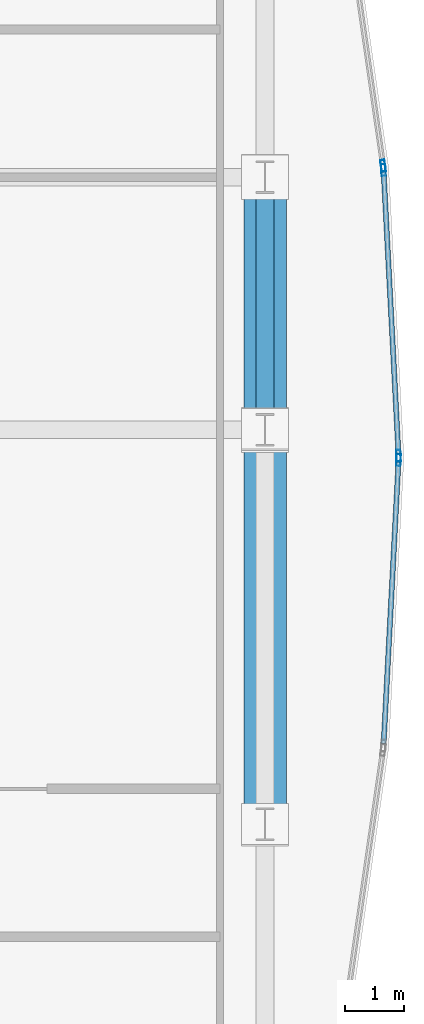
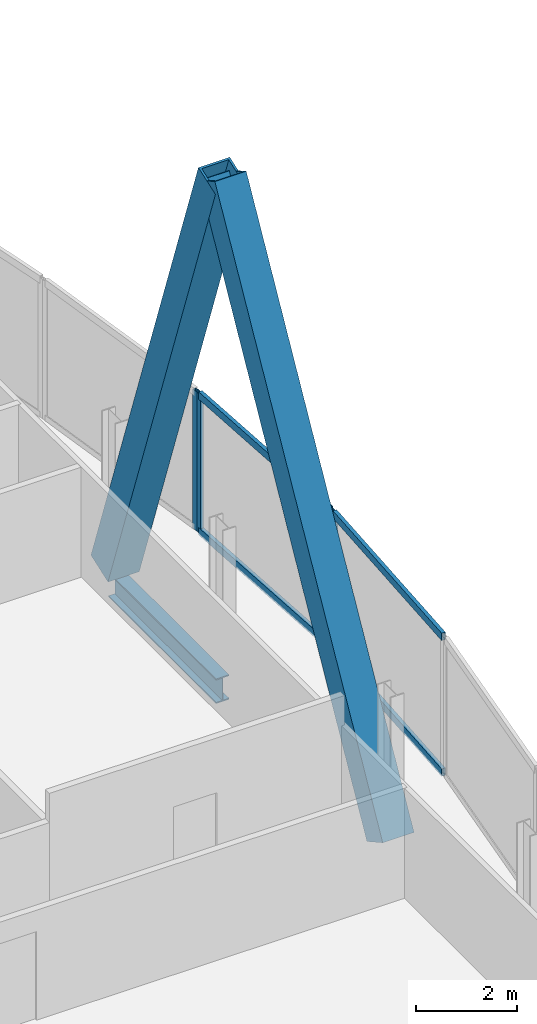
# One storey, part 23 of 31: 10 members, 1 beam, 3 elements without a shape of their own.
"""IFC4 building model written with IfcOpenShell, lengths in metres."""

from ifc_helpers import new_model, si_unit, direction, frame, origin, origin_2d, place, context, subcontext, project, spatial, hollow_rectangle, i_section, extrude, material, material_profile, profile_set, type_object, element, aggregate, save


model = new_model("IFC4")

# Units and contexts
model_context = context("Model", 3, precision=1e-05, world=origin(), true_north=direction((0.0, 1.0)))
body_context = subcontext(model_context, "Body", "Model", "MODEL_VIEW")
ifc_project = project(units=[si_unit("LENGTHUNIT", "METRE"), si_unit("AREAUNIT", "SQUARE_METRE"), si_unit("VOLUMEUNIT", "CUBIC_METRE"), si_unit("PLANEANGLEUNIT", "RADIAN"), si_unit("MASSUNIT", "GRAM", prefix="KILO")], contexts=[model_context])

# Site, building, storey
site_placement = place(None, origin())
site = spatial("IfcSite", under=ifc_project, at=site_placement, CompositionType="ELEMENT")
building_placement = place(site_placement, origin())
building = spatial("IfcBuilding", under=site, at=building_placement, Name="Khoronbel Lancet Exchange", CompositionType="ELEMENT")
storey_placement = place(building_placement, frame((0.0, 0.0, 168.60009765625)))
storey = spatial("IfcBuildingStorey", under=building, at=storey_placement, Name="L42", CompositionType="ELEMENT", Elevation=168.60009765625)

# Beam
ifc_material_1 = material(Name="Steel S355", Category="steel")
ifc_material_profile_1 = material_profile(ifc_material_1, i_section(OverallWidth=0.300048828125, OverallDepth=0.60009765625, WebThickness=0.015380859375, FlangeThickness=0.030029296875, at=origin_2d()), Name="HEB 600")
ifc_profile_set_1 = profile_set([ifc_material_profile_1], Name="Steel S355")
beam_type = type_object("IfcBeamType", Name="BM-BSP2", PredefinedType="SPANDREL", material=ifc_profile_set_1)
beam_placement = place(storey_placement, frame((67.6298828125, 31.425048828125, -0.460205078125), z_axis=(0.0, 1.0, 0.0), x_axis=(-1.0, 0.0, 0.0)))
element("IfcBeam", 1, at=beam_placement, inside=storey, type_object=beam_type, Name="Level L42 perimeter spandrel beam SP13", PredefinedType="SPANDREL", context=body_context, shape_type="SweptSolid", body=[
    extrude(i_section(OverallWidth=0.300048828125, OverallDepth=0.60009765625, WebThickness=0.015380859375, FlangeThickness=0.030029296875, at=origin_2d()), origin(), (0.0, 0.0, 1.0), 4.27490234375),
])

# Curtain wall, member
ifc_material_2 = material(Name="Low-E Solar Control Insulating Glass", Category="glass")
curtain_wall_type = type_object("IfcCurtainWallType", Name="CW-4", PredefinedType="NOTDEFINED", material=ifc_material_2)
curtain_wall_1_placement = place(storey_placement, origin())
curtain_wall_1 = element("IfcCurtainWall", 2, at=curtain_wall_1_placement, inside=storey, type_object=curtain_wall_type, Name="Unitised curtain wall CW-L42-E18", PredefinedType="NOTDEFINED")
ifc_material_3 = material(Name="Bronze-Anodised Aluminium 6063-T6", Category="aluminium")
ifc_material_profile_2 = material_profile(ifc_material_3, hollow_rectangle(XDim=0.074951171875, YDim=0.199951171875, WallThickness=0.0048828125, at=origin_2d()), Name="ALU MULLION 75x200")
ifc_profile_set_2 = profile_set([ifc_material_profile_2], Name="Bronze-Anodised Aluminium 6063-T6")
member_type_1 = type_object("IfcMemberType", Name="MEM-CWM2", PredefinedType="MULLION", material=ifc_profile_set_2)
member_1_placement = place(storey_placement, frame((69.626708984375, 35.89501953125, 0.0), z_axis=(0.0, 0.0, 1.0), x_axis=(0.989829804459, 0.142256663132, 0.0)))
member_1 = element("IfcMember", 3, at=member_1_placement, type_object=member_type_1, Name="CW4 mullion 2", PredefinedType="MULLION", context=body_context, shape_type="SweptSolid", body=[
    extrude(hollow_rectangle(XDim=0.074951171875, YDim=0.199951171875, WallThickness=0.0048828125, at=origin_2d()), origin(), (0.0, 0.0, 1.0), 3.3798828125),
])
aggregate(curtain_wall_1, [member_1])

# Curtain wall, members
curtain_wall_2_placement = place(storey_placement, origin())
curtain_wall_2 = element("IfcCurtainWall", 4, at=curtain_wall_2_placement, inside=storey, type_object=curtain_wall_type, Name="Unitised curtain wall CW-L42-E19", PredefinedType="NOTDEFINED")
member_2_placement = place(storey_placement, frame((69.634033203125, 35.820556640625, 0.0), z_axis=(0.0, 0.0, 1.0), x_axis=(0.998619009442, 0.052536406245, 0.0)))
member_2 = element("IfcMember", 5, at=member_2_placement, type_object=member_type_1, Name="CW4 mullion 1", PredefinedType="MULLION", context=body_context, shape_type="SweptSolid", body=[
    extrude(hollow_rectangle(XDim=0.074951171875, YDim=0.199951171875, WallThickness=0.0048828125, at=origin_2d()), origin(), (0.0, 0.0, 1.0), 3.3798828125),
])
member_3_placement = place(storey_placement, frame((69.888427734375, 30.987548828125, 0.0), z_axis=(0.0, 0.0, 1.0), x_axis=(0.998619009442, 0.052536406245, 0.0)))
member_3 = element("IfcMember", 6, at=member_3_placement, type_object=member_type_1, Name="CW4 mullion 2", PredefinedType="MULLION", context=body_context, shape_type="SweptSolid", body=[
    extrude(hollow_rectangle(XDim=0.074951171875, YDim=0.199951171875, WallThickness=0.0048828125, at=origin_2d()), origin(), (0.0, 0.0, 1.0), 3.3798828125),
])

# Curtain wall, member
curtain_wall_3_placement = place(storey_placement, origin())
curtain_wall_3 = element("IfcCurtainWall", 7, at=curtain_wall_3_placement, inside=storey, type_object=curtain_wall_type, Name="Unitised curtain wall CW-L42-E20", PredefinedType="NOTDEFINED")
member_4_placement = place(storey_placement, frame((69.888427734375, 30.91259765625, 0.0), z_axis=(0.0, 0.0, 1.0), x_axis=(0.998619009442, -0.052536406245, 0.0)))
member_4 = element("IfcMember", 8, at=member_4_placement, type_object=member_type_1, Name="CW4 mullion 1", PredefinedType="MULLION", context=body_context, shape_type="SweptSolid", body=[
    extrude(hollow_rectangle(XDim=0.074951171875, YDim=0.199951171875, WallThickness=0.0048828125, at=origin_2d()), origin(), (0.0, 0.0, 1.0), 3.3798828125),
])

# Member
ifc_material_profile_3 = material_profile(ifc_material_3, hollow_rectangle(XDim=0.0849609375, YDim=0.179931640625, WallThickness=0.0048828125, at=origin_2d()), Name="ALU TRANSOM 85x180")
ifc_profile_set_3 = profile_set([ifc_material_profile_3], Name="Bronze-Anodised Aluminium 6063-T6")
member_type_2 = type_object("IfcMemberType", Name="MEM-CWT1", PredefinedType="USERDEFINED", material=ifc_profile_set_3)
member_5_placement = place(storey_placement, frame((69.635986328125, 35.782958984375, 0.04248046875), z_axis=(0.05257228009, -0.998617121507, 0.0), x_axis=(0.998617121507, 0.05257228009, 0.0)))
member_5 = element("IfcMember", 9, at=member_5_placement, type_object=member_type_2, Name="CW4 transom 1.1", ObjectType="TRANSOM", PredefinedType="USERDEFINED", context=body_context, shape_type="SweptSolid", body=[
    extrude(hollow_rectangle(XDim=0.0849609375, YDim=0.179931640625, WallThickness=0.0048828125, at=origin_2d()), origin(), (0.0, 0.0, 1.0), 4.7646484375),
])

member_6_placement = place(storey_placement, frame((69.635986328125, 35.782958984375, 3.33740234375), z_axis=(0.05257228009, -0.998617121507, 0.0), x_axis=(0.998617121507, 0.05257228009, 0.0)))
member_6 = element("IfcMember", 10, at=member_6_placement, type_object=member_type_2, Name="CW4 transom 1.2", ObjectType="TRANSOM", PredefinedType="USERDEFINED", context=body_context, shape_type="SweptSolid", body=[
    extrude(hollow_rectangle(XDim=0.0849609375, YDim=0.179931640625, WallThickness=0.0048828125, at=origin_2d()), origin(), (0.0, 0.0, 1.0), 4.7646484375),
])

aggregate(curtain_wall_2, [member_2, member_3, member_5, member_6])

member_7_placement = place(storey_placement, frame((69.886474609375, 30.875, 0.04248046875), z_axis=(-0.05257228009, -0.998617121507, 0.0), x_axis=(0.998617121507, -0.05257228009, 0.0)))
member_7 = element("IfcMember", 11, at=member_7_placement, type_object=member_type_2, Name="CW4 transom 1.1", ObjectType="TRANSOM", PredefinedType="USERDEFINED", context=body_context, shape_type="SweptSolid", body=[
    extrude(hollow_rectangle(XDim=0.0849609375, YDim=0.179931640625, WallThickness=0.0048828125, at=origin_2d()), origin(), (0.0, 0.0, 1.0), 4.7646484375),
])

member_8_placement = place(storey_placement, frame((69.886474609375, 30.875, 3.33740234375), z_axis=(-0.05257228009, -0.998617121507, 0.0), x_axis=(0.998617121507, -0.05257228009, 0.0)))
member_8 = element("IfcMember", 12, at=member_8_placement, type_object=member_type_2, Name="CW4 transom 1.2", ObjectType="TRANSOM", PredefinedType="USERDEFINED", context=body_context, shape_type="SweptSolid", body=[
    extrude(hollow_rectangle(XDim=0.0849609375, YDim=0.179931640625, WallThickness=0.0048828125, at=origin_2d()), origin(), (0.0, 0.0, 1.0), 4.7646484375),
])

aggregate(curtain_wall_3, [member_4, member_7, member_8])

# Members
ifc_material_4 = material(Name="Steel S460", Category="steel")
ifc_material_profile_4 = material_profile(ifc_material_4, hollow_rectangle(XDim=0.719970703125, YDim=0.719970703125, WallThickness=0.050048828125, at=origin_2d()), Name="BOX 720x720x50")
ifc_profile_set_4 = profile_set([ifc_material_profile_4], Name="Steel S460")
member_type_3 = type_object("IfcMemberType", Name="MEM-MB2", PredefinedType="BRACE", material=ifc_profile_set_4)
member_9_placement = place(storey_placement, frame((67.6298828125, 24.75, 0.0), z_axis=(0.0, 0.486109322328, 0.873898007061), x_axis=(-1.0, 0.0, 0.0)))
element("IfcMember", 13, at=member_9_placement, inside=storey, type_object=member_type_3, Name="Perimeter lancet brace tier 14 E-P-L", PredefinedType="BRACE", context=body_context, shape_type="SweptSolid", body=[
    extrude(hollow_rectangle(XDim=0.719970703125, YDim=0.719970703125, WallThickness=0.050048828125, at=origin_2d()), origin(), (0.0, 0.0, 1.0), 13.731689453125),
])
member_10_placement = place(storey_placement, frame((67.6298828125, 35.699951171875, 0.0), z_axis=(0.0, -0.335583554792, 0.94201044461), x_axis=(1.0, 0.0, 0.0)))
element("IfcMember", 14, at=member_10_placement, inside=storey, type_object=member_type_3, Name="Perimeter lancet brace tier 14 E-P-R", PredefinedType="BRACE", context=body_context, shape_type="SweptSolid", body=[
    extrude(hollow_rectangle(XDim=0.719970703125, YDim=0.719970703125, WallThickness=0.050048828125, at=origin_2d()), origin(), (0.0, 0.0, 1.0), 12.73876953125),
])

save(model, "model.ifc")
